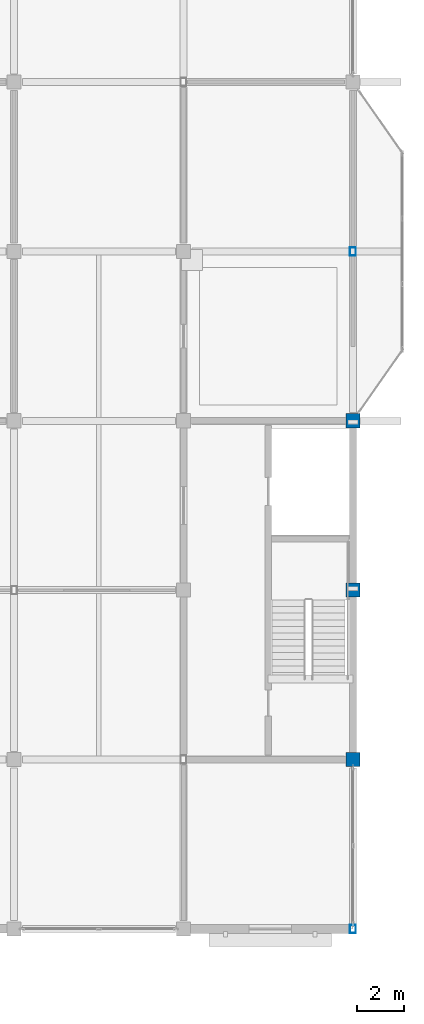
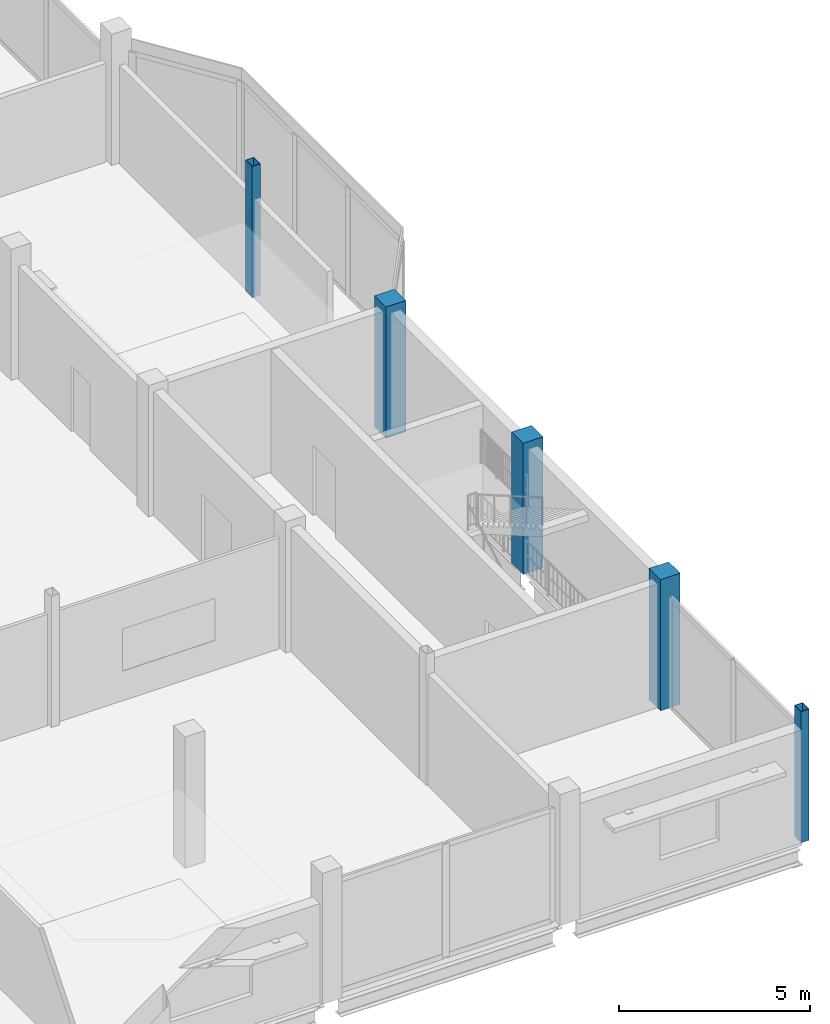
# One storey, part 6 of 51: 5 columns.
"""IFC4 building model written with IfcOpenShell, lengths in metres."""

from ifc_helpers import new_model, si_unit, direction, frame, origin, origin_2d, place, context, subcontext, project, spatial, rectangle, hollow_rectangle, extrude, material, material_profile, profile_set, type_object, element, save


model = new_model("IFC4")

# Units and contexts
model_context = context("Model", 3, precision=1e-05, world=origin(), true_north=direction((0.0, 1.0)))
body_context = subcontext(model_context, "Body", "Model", "MODEL_VIEW")
ifc_project = project(units=[si_unit("LENGTHUNIT", "METRE"), si_unit("AREAUNIT", "SQUARE_METRE"), si_unit("VOLUMEUNIT", "CUBIC_METRE"), si_unit("PLANEANGLEUNIT", "RADIAN"), si_unit("MASSUNIT", "GRAM", prefix="KILO")], contexts=[model_context])

# Site, building, storey
site_placement = place(None, origin())
site = spatial("IfcSite", under=ifc_project, at=site_placement, CompositionType="ELEMENT")
building_placement = place(site_placement, origin())
building = spatial("IfcBuilding", under=site, at=building_placement, Name="Vesperath Aquatics Centre", CompositionType="ELEMENT")
storey_placement = place(building_placement, frame((0.0, 0.0, 15.0)))
storey = spatial("IfcBuildingStorey", under=building, at=storey_placement, Name="L03", CompositionType="ELEMENT", Elevation=15.0)

# Columns
ifc_material_1 = material(Name="Concrete C40", Category="concrete")
ifc_material_profile_1 = material_profile(ifc_material_1, rectangle(XDim=0.60009765625, YDim=0.60009765625, at=origin_2d()), Name="RC 600x600")
ifc_profile_set_1 = profile_set([ifc_material_profile_1], Name="Concrete C40")
column_type_1 = type_object("IfcColumnType", Name="CL-C06", PredefinedType="COLUMN", material=ifc_profile_set_1)
for number, where, z_axis, x_axis, name in (
    (1, (172.800048828125, 7.199951171875, 0.0), (0.0, 0.0, 1.0), (1.0, 0.0, 0.0), "Column C06 L03 25/B"),
    (2, (172.800048828125, 14.39990234375, 0.0), (0.0, 0.0, 1.0), (1.0, 0.0, 0.0), "Column C06 L03 25/C"),
    (3, (172.800048828125, 21.60009765625, 0.0), (0.0, 0.0, 1.0), (1.0, 0.0, 0.0), "Column C06 L03 25/D"),
):
    element("IfcColumn", number, at=place(storey_placement, frame(where, z_axis=z_axis, x_axis=x_axis)), inside=storey, type_object=column_type_1, Name=name, PredefinedType="COLUMN", context=body_context, shape_type="SweptSolid", body=[
        extrude(rectangle(XDim=0.60009765625, YDim=0.60009765625, at=origin_2d()), origin(), (0.0, 0.0, 1.0), 4.199951171875),
    ])
ifc_material_2 = material(Name="Steel Q355C", Category="steel")
ifc_material_profile_2 = material_profile(ifc_material_2, hollow_rectangle(XDim=0.25, YDim=0.35009765625, WallThickness=0.011962890625, at=origin_2d()), Name="RHS 350x250x12")
ifc_profile_set_2 = profile_set([ifc_material_profile_2], Name="Steel Q355C")
column_type_2 = type_object("IfcColumnType", Name="CL-C16", PredefinedType="COLUMN", material=ifc_profile_set_2)
for number, where, z_axis, x_axis, name in (
    (4, (172.800048828125, 0.0, 0.0), (0.0, 0.0, 1.0), (1.0, 0.0, 0.0), "Column C16 L03 25/A"),
    (5, (172.800048828125, 28.800048828125, 0.0), (0.0, 0.0, 1.0), (1.0, 0.0, 0.0), "Column C16 L03 25/E"),
):
    element("IfcColumn", number, at=place(storey_placement, frame(where, z_axis=z_axis, x_axis=x_axis)), inside=storey, type_object=column_type_2, Name=name, PredefinedType="COLUMN", context=body_context, shape_type="SweptSolid", body=[
        extrude(hollow_rectangle(XDim=0.25, YDim=0.35009765625, WallThickness=0.011962890625, at=origin_2d()), origin(), (0.0, 0.0, 1.0), 4.199951171875),
    ])

save(model, "model.ifc")
